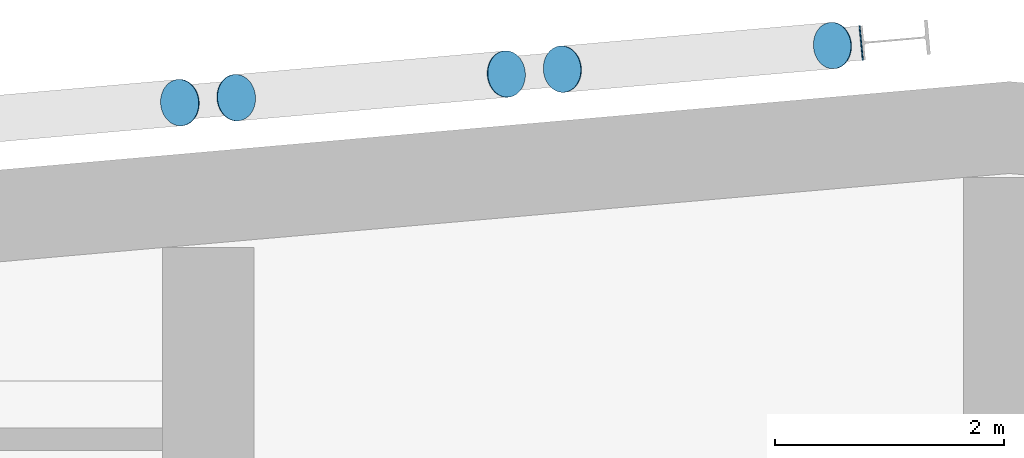
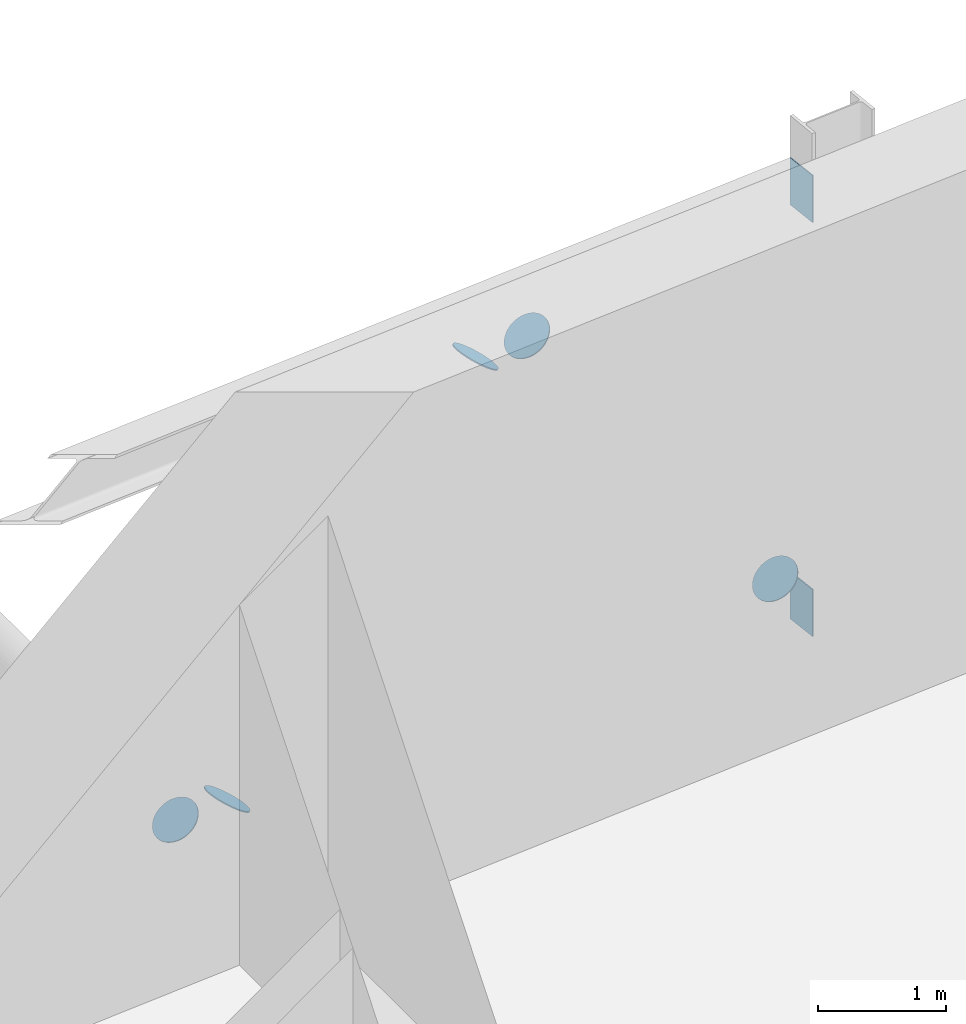
# One storey, part 26 of 35: 7 discrete accessories.
"""IFC4 building model written with IfcOpenShell, lengths in metres."""

from ifc_helpers import new_model, si_unit, direction, frame, origin, origin_2d, place, context, subcontext, project, spatial, rectangle, circle, extrude, material, material_profile, profile_set, type_object, element, save


model = new_model("IFC4")

# Units and contexts
model_context = context("Model", 3, precision=1e-05, world=origin(), true_north=direction((0.0, 1.0)))
body_context = subcontext(model_context, "Body", "Model", "MODEL_VIEW")
ifc_project = project(units=[si_unit("LENGTHUNIT", "METRE"), si_unit("AREAUNIT", "SQUARE_METRE"), si_unit("VOLUMEUNIT", "CUBIC_METRE"), si_unit("PLANEANGLEUNIT", "RADIAN"), si_unit("MASSUNIT", "GRAM", prefix="KILO")], contexts=[model_context])

# Site, building, storey
site_placement = place(None, origin())
site = spatial("IfcSite", under=ifc_project, at=site_placement, CompositionType="ELEMENT")
building_placement = place(site_placement, origin())
building = spatial("IfcBuilding", under=site, at=building_placement, Name="Wharfspan Tower", CompositionType="ELEMENT")
storey_placement = place(building_placement, frame((0.0, 0.0, 202.300049)))
storey = spatial("IfcBuildingStorey", under=building, at=storey_placement, Name="L50", CompositionType="ELEMENT", Elevation=202.300049)

# Discrete accessories
ifc_material_1 = material(Name="Steel S460NH", Category="steel")
ifc_material_profile_1 = material_profile(ifc_material_1, circle(Radius=0.203125, at=origin_2d()))
ifc_profile_set_1 = profile_set([ifc_material_profile_1], Name="Steel S460NH")
discrete_accessory_type_1 = type_object("IfcDiscreteAccessoryType", Name="End plate CHS 406x16", PredefinedType="BRACKET", material=ifc_profile_set_1)
for number, where, z_axis, x_axis, name in (
    (1, (35.458496, 50.939697, 0.561035), (-0.587466, -0.048956, 0.807766), (0.083046, -0.996542, 0.0), "End plate CHS 406x16"),
    (2, (33.098877, 50.733398, 3.830811), (-0.587466, -0.048956, 0.807766), (0.083046, -0.996542, 0.0), "End plate CHS 406x16"),
    (3, (32.60791, 50.69043, 3.838867), (-0.587466, -0.048956, -0.807766), (0.083046, -0.996542, 0.0), "End plate CHS 406x16"),
):
    element("IfcDiscreteAccessory", number, at=place(storey_placement, frame(where, z_axis=z_axis, x_axis=x_axis)), inside=storey, type_object=discrete_accessory_type_1, Name=name, PredefinedType="BRACKET", context=body_context, shape_type="SweptSolid", body=[
        extrude(circle(Radius=0.203125, at=origin_2d()), origin(), (0.0, 0.0, 1.0), 0.01001),
    ])
for number, where, z_axis, x_axis, name in (
    (4, (30.248291, 50.483887, 0.569092), (-0.571087, -0.04966, -0.819386), (0.08663, -0.99624, 0.0), "End plate CHS 406x16"),
    (5, (29.757324, 50.440918, 0.561035), (-0.571087, -0.04966, 0.819386), (0.08663, -0.99624, 0.0), "End plate CHS 406x16"),
):
    element("IfcDiscreteAccessory", number, at=place(storey_placement, frame(where, z_axis=z_axis, x_axis=x_axis)), inside=storey, type_object=discrete_accessory_type_1, Name=name, PredefinedType="BRACKET", context=body_context, shape_type="SweptSolid", body=[
        extrude(circle(Radius=0.203125, at=origin_2d()), origin(), (0.0, 0.0, 1.0), 0.009766),
    ])
ifc_material_2 = material(Name="Steel S355J2", Category="steel")
ifc_material_profile_2 = material_profile(ifc_material_2, rectangle(XDim=0.300049, YDim=0.449951, at=origin_2d()))
ifc_profile_set_2 = profile_set([ifc_material_profile_2], Name="Steel S355J2")
discrete_accessory_type_2 = type_object("IfcDiscreteAccessoryType", Name="End plate HEB 450", PredefinedType="BRACKET", material=ifc_profile_set_2)
for number, where, z_axis, x_axis, name in (
    (6, (35.711182, 50.961914, 4.175049), (-0.995275, -0.0971, 0.0), (0.0971, -0.995275, 0.0), "End plate HEB 450"),
    (7, (35.711182, 50.961914, 0.224854), (-0.995275, -0.0971, 0.0), (0.0971, -0.995275, 0.0), "End plate HEB 450"),
):
    element("IfcDiscreteAccessory", number, at=place(storey_placement, frame(where, z_axis=z_axis, x_axis=x_axis)), inside=storey, type_object=discrete_accessory_type_2, Name=name, PredefinedType="BRACKET", context=body_context, shape_type="SweptSolid", body=[
        extrude(rectangle(XDim=0.300049, YDim=0.449951, at=origin_2d()), origin(), (0.0, 0.0, 1.0), 0.01001),
    ])

save(model, "model.ifc")
